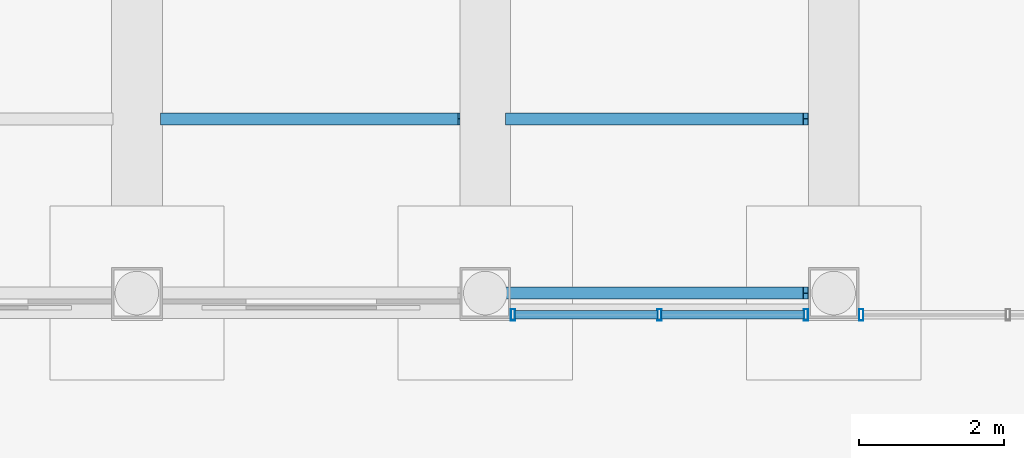
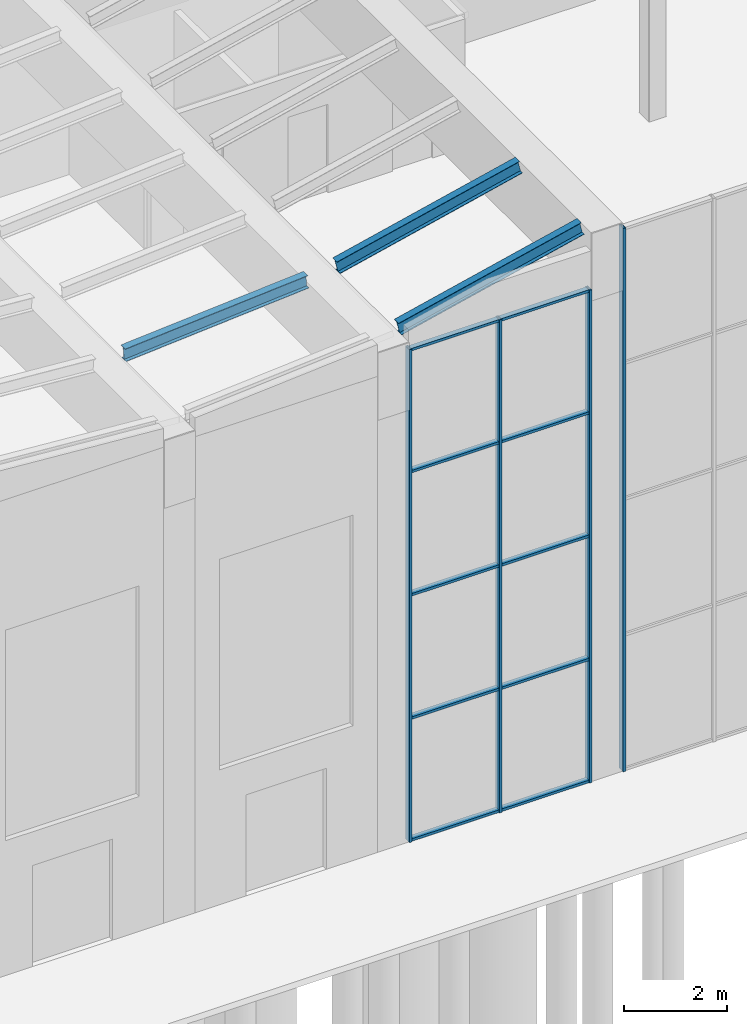
# One storey, part 24 of 58: 14 members, 3 beams, 2 elements without a shape of their own.
"""IFC4 building model written with IfcOpenShell, lengths in metres."""

from ifc_helpers import new_model, si_unit, direction, frame, origin, origin_2d, place, context, subcontext, project, spatial, hollow_rectangle, i_section, extrude, material, layer, layer_set, material_profile, profile_set, type_object, element, aggregate, save


model = new_model("IFC4")

# Units and contexts
model_context = context("Model", 3, precision=1e-05, world=origin(), true_north=direction((0.0, 1.0)))
body_context = subcontext(model_context, "Body", "Model", "MODEL_VIEW")
ifc_project = project(units=[si_unit("LENGTHUNIT", "METRE"), si_unit("AREAUNIT", "SQUARE_METRE"), si_unit("VOLUMEUNIT", "CUBIC_METRE"), si_unit("PLANEANGLEUNIT", "RADIAN"), si_unit("MASSUNIT", "GRAM", prefix="KILO")], contexts=[model_context])

# Site, building, storey
site_placement = place(None, origin())
site = spatial("IfcSite", under=ifc_project, at=site_placement, CompositionType="ELEMENT")
building_placement = place(site_placement, origin())
building = spatial("IfcBuilding", under=site, at=building_placement, Name="Baori Bourse Tower", CompositionType="ELEMENT")
storey_placement = place(building_placement, origin())
storey = spatial("IfcBuildingStorey", under=building, at=storey_placement, Name="L00", CompositionType="ELEMENT", Elevation=0.0)

# Beams
ifc_material_1 = material(Name="Steel A992 Gr 50", Category="steel")
ifc_material_profile_1 = material_profile(ifc_material_1, i_section(OverallWidth=0.164794921875, OverallDepth=0.309814453125, WebThickness=0.005859375, FlangeThickness=0.009765625, at=origin_2d()), Name="W12x26")
ifc_profile_set_1 = profile_set([ifc_material_profile_1], Name="Steel A992 Gr 50")
beam_type = type_object("IfcBeamType", Name="Wing beam W12x26", PredefinedType="BEAM", material=ifc_profile_set_1)
beam_placement = place(storey_placement, frame((29.13818359375, -22.449951171875, 11.619873046875), z_axis=(0.997134957762, 0.0, 0.075643083017), x_axis=(0.0, 1.0, 0.0)))
element("IfcBeam", 1, at=beam_placement, inside=storey, type_object=beam_type, Name="wing/L00/purlin/022", PredefinedType="BEAM", context=body_context, shape_type="SweptSolid", body=[
    extrude(i_section(OverallWidth=0.164794921875, OverallDepth=0.309814453125, WebThickness=0.005859375, FlangeThickness=0.009765625, at=origin_2d()), origin(), (0.0, 0.0, 1.0), 4.11181640625),
])
for number, where, z_axis, x_axis, name in (
    (2, (33.914794921875, -24.85009765625, 12.0244140625), (0.973887386233, 0.0, 0.227031625408), (0.0, 1.0, 0.0), "wing/L00/purlin/031"),
    (3, (33.914794921875, -22.449951171875, 12.0244140625), (0.973887386233, 0.0, 0.227031625408), (0.0, 1.0, 0.0), "wing/L00/purlin/032"),
):
    element("IfcBeam", number, at=place(storey_placement, frame(where, z_axis=z_axis, x_axis=x_axis)), inside=storey, type_object=beam_type, Name=name, PredefinedType="BEAM", context=body_context, shape_type="SweptSolid", body=[
        extrude(i_section(OverallWidth=0.164794921875, OverallDepth=0.309814453125, WebThickness=0.005859375, FlangeThickness=0.009765625, at=origin_2d()), origin(), (0.0, 0.0, 1.0), 4.2099609375),
    ])

# Curtain wall, members
ifc_material_2 = material(Name="Pale anodised aluminium", Category="aluminium")
ifc_layer = layer(ifc_material_2, 0.10009765625)
ifc_layer_set = layer_set([ifc_layer], Name="Wing curtain wall")
curtain_wall_type = type_object("IfcCurtainWallType", Name="Wing curtain wall", PredefinedType="NOTDEFINED", material=ifc_layer_set)
curtain_wall_1_placement = place(storey_placement, origin())
curtain_wall_1 = element("IfcCurtainWall", 4, at=curtain_wall_1_placement, inside=storey, type_object=curtain_wall_type, Name="wing/L00/hallcw/005", PredefinedType="NOTDEFINED")
ifc_material_3 = material(Name="Pale anodised aluminium", Category="aluminium")
ifc_material_profile_2 = material_profile(ifc_material_3, hollow_rectangle(XDim=0.159912109375, YDim=0.06005859375, WallThickness=0.0048828125, at=origin_2d()), Name="Mullion 160x60x5")
ifc_profile_set_2 = profile_set([ifc_material_profile_2], Name="Pale anodised aluminium")
member_type_1 = type_object("IfcMemberType", Name="Wing mullion 60x160", PredefinedType="MULLION", material=ifc_profile_set_2)
member_1_placement = place(storey_placement, frame((33.97998046875, -25.14990234375, 0.0), z_axis=(0.0, 0.0, 1.0), x_axis=(0.0, 1.0, 0.0)))
member_1 = element("IfcMember", 5, at=member_1_placement, type_object=member_type_1, Name="X12 mullion 1", PredefinedType="MULLION", context=body_context, shape_type="SweptSolid", body=[
    extrude(hollow_rectangle(XDim=0.159912109375, YDim=0.06005859375, WallThickness=0.0048828125, at=origin_2d()), origin(), (0.0, 0.0, 1.0), 11.699951171875),
])
member_2_placement = place(storey_placement, frame((36.0, -25.14990234375, 0.0), z_axis=(0.0, 0.0, 1.0), x_axis=(0.0, 1.0, 0.0)))
member_2 = element("IfcMember", 6, at=member_2_placement, type_object=member_type_1, Name="X12 mullion 2", PredefinedType="MULLION", context=body_context, shape_type="SweptSolid", body=[
    extrude(hollow_rectangle(XDim=0.159912109375, YDim=0.06005859375, WallThickness=0.0048828125, at=origin_2d()), origin(), (0.0, 0.0, 1.0), 11.699951171875),
])
member_3_placement = place(storey_placement, frame((38.02001953125, -25.14990234375, 0.0), z_axis=(0.0, 0.0, 1.0), x_axis=(0.0, 1.0, 0.0)))
member_3 = element("IfcMember", 7, at=member_3_placement, type_object=member_type_1, Name="X12 mullion 3", PredefinedType="MULLION", context=body_context, shape_type="SweptSolid", body=[
    extrude(hollow_rectangle(XDim=0.159912109375, YDim=0.06005859375, WallThickness=0.0048828125, at=origin_2d()), origin(), (0.0, 0.0, 1.0), 11.699951171875),
])

# Curtain wall, member
curtain_wall_2_placement = place(storey_placement, origin())
curtain_wall_2 = element("IfcCurtainWall", 8, at=curtain_wall_2_placement, inside=storey, type_object=curtain_wall_type, Name="wing/L00/hallcw/006", PredefinedType="NOTDEFINED")
member_4_placement = place(storey_placement, frame((38.780029296875, -25.14990234375, 0.0), z_axis=(0.0, 0.0, 1.0), x_axis=(0.0, 1.0, 0.0)))
member_4 = element("IfcMember", 9, at=member_4_placement, type_object=member_type_1, Name="X12 mullion 1", PredefinedType="MULLION", context=body_context, shape_type="SweptSolid", body=[
    extrude(hollow_rectangle(XDim=0.159912109375, YDim=0.06005859375, WallThickness=0.0048828125, at=origin_2d()), origin(), (0.0, 0.0, 1.0), 12.89990234375),
])
aggregate(curtain_wall_2, [member_4])

# Member
ifc_material_4 = material(Name="Pale anodised aluminium", Category="aluminium")
ifc_material_profile_3 = material_profile(ifc_material_4, hollow_rectangle(XDim=0.1201171875, YDim=0.06005859375, WallThickness=0.0048828125, at=origin_2d()), Name="Transom 120x60x5")
ifc_profile_set_3 = profile_set([ifc_material_profile_3], Name="Pale anodised aluminium")
member_type_2 = type_object("IfcMemberType", Name="Wing transom 120x60", PredefinedType="USERDEFINED", material=ifc_profile_set_3)
member_5_placement = place(storey_placement, frame((34.010009765625, -25.14990234375, 0.030029296875), z_axis=(1.0, 0.0, 0.0), x_axis=(0.0, 1.0, 0.0)))
member_5 = element("IfcMember", 10, at=member_5_placement, type_object=member_type_2, Name="X12 transom 1.1", ObjectType="TRANSOM", PredefinedType="USERDEFINED", context=body_context, shape_type="SweptSolid", body=[
    extrude(hollow_rectangle(XDim=0.1201171875, YDim=0.06005859375, WallThickness=0.0048828125, at=origin_2d()), origin(), (0.0, 0.0, 1.0), 1.9599609375),
])

member_6_placement = place(storey_placement, frame((34.010009765625, -25.14990234375, 2.925048828125), z_axis=(1.0, 0.0, 0.0), x_axis=(0.0, 1.0, 0.0)))
member_6 = element("IfcMember", 11, at=member_6_placement, type_object=member_type_2, Name="X12 transom 1.2", ObjectType="TRANSOM", PredefinedType="USERDEFINED", context=body_context, shape_type="SweptSolid", body=[
    extrude(hollow_rectangle(XDim=0.1201171875, YDim=0.06005859375, WallThickness=0.0048828125, at=origin_2d()), origin(), (0.0, 0.0, 1.0), 1.9599609375),
])

member_7_placement = place(storey_placement, frame((34.010009765625, -25.14990234375, 5.85009765625), z_axis=(1.0, 0.0, 0.0), x_axis=(0.0, 1.0, 0.0)))
member_7 = element("IfcMember", 12, at=member_7_placement, type_object=member_type_2, Name="X12 transom 1.3", ObjectType="TRANSOM", PredefinedType="USERDEFINED", context=body_context, shape_type="SweptSolid", body=[
    extrude(hollow_rectangle(XDim=0.1201171875, YDim=0.06005859375, WallThickness=0.0048828125, at=origin_2d()), origin(), (0.0, 0.0, 1.0), 1.9599609375),
])

member_8_placement = place(storey_placement, frame((34.010009765625, -25.14990234375, 8.77490234375), z_axis=(1.0, 0.0, 0.0), x_axis=(0.0, 1.0, 0.0)))
member_8 = element("IfcMember", 13, at=member_8_placement, type_object=member_type_2, Name="X12 transom 1.4", ObjectType="TRANSOM", PredefinedType="USERDEFINED", context=body_context, shape_type="SweptSolid", body=[
    extrude(hollow_rectangle(XDim=0.1201171875, YDim=0.06005859375, WallThickness=0.0048828125, at=origin_2d()), origin(), (0.0, 0.0, 1.0), 1.9599609375),
])

member_9_placement = place(storey_placement, frame((34.010009765625, -25.14990234375, 11.669921875), z_axis=(1.0, 0.0, 0.0), x_axis=(0.0, 1.0, 0.0)))
member_9 = element("IfcMember", 14, at=member_9_placement, type_object=member_type_2, Name="X12 transom 1.5", ObjectType="TRANSOM", PredefinedType="USERDEFINED", context=body_context, shape_type="SweptSolid", body=[
    extrude(hollow_rectangle(XDim=0.1201171875, YDim=0.06005859375, WallThickness=0.0048828125, at=origin_2d()), origin(), (0.0, 0.0, 1.0), 1.9599609375),
])

member_10_placement = place(storey_placement, frame((36.030029296875, -25.14990234375, 0.030029296875), z_axis=(1.0, 0.0, 0.0), x_axis=(0.0, 1.0, 0.0)))
member_10 = element("IfcMember", 15, at=member_10_placement, type_object=member_type_2, Name="X12 transom 2.1", ObjectType="TRANSOM", PredefinedType="USERDEFINED", context=body_context, shape_type="SweptSolid", body=[
    extrude(hollow_rectangle(XDim=0.1201171875, YDim=0.06005859375, WallThickness=0.0048828125, at=origin_2d()), origin(), (0.0, 0.0, 1.0), 1.9599609375),
])

member_11_placement = place(storey_placement, frame((36.030029296875, -25.14990234375, 2.925048828125), z_axis=(1.0, 0.0, 0.0), x_axis=(0.0, 1.0, 0.0)))
member_11 = element("IfcMember", 16, at=member_11_placement, type_object=member_type_2, Name="X12 transom 2.2", ObjectType="TRANSOM", PredefinedType="USERDEFINED", context=body_context, shape_type="SweptSolid", body=[
    extrude(hollow_rectangle(XDim=0.1201171875, YDim=0.06005859375, WallThickness=0.0048828125, at=origin_2d()), origin(), (0.0, 0.0, 1.0), 1.9599609375),
])

member_12_placement = place(storey_placement, frame((36.030029296875, -25.14990234375, 5.85009765625), z_axis=(1.0, 0.0, 0.0), x_axis=(0.0, 1.0, 0.0)))
member_12 = element("IfcMember", 17, at=member_12_placement, type_object=member_type_2, Name="X12 transom 2.3", ObjectType="TRANSOM", PredefinedType="USERDEFINED", context=body_context, shape_type="SweptSolid", body=[
    extrude(hollow_rectangle(XDim=0.1201171875, YDim=0.06005859375, WallThickness=0.0048828125, at=origin_2d()), origin(), (0.0, 0.0, 1.0), 1.9599609375),
])

member_13_placement = place(storey_placement, frame((36.030029296875, -25.14990234375, 8.77490234375), z_axis=(1.0, 0.0, 0.0), x_axis=(0.0, 1.0, 0.0)))
member_13 = element("IfcMember", 18, at=member_13_placement, type_object=member_type_2, Name="X12 transom 2.4", ObjectType="TRANSOM", PredefinedType="USERDEFINED", context=body_context, shape_type="SweptSolid", body=[
    extrude(hollow_rectangle(XDim=0.1201171875, YDim=0.06005859375, WallThickness=0.0048828125, at=origin_2d()), origin(), (0.0, 0.0, 1.0), 1.9599609375),
])

member_14_placement = place(storey_placement, frame((36.030029296875, -25.14990234375, 11.669921875), z_axis=(1.0, 0.0, 0.0), x_axis=(0.0, 1.0, 0.0)))
member_14 = element("IfcMember", 19, at=member_14_placement, type_object=member_type_2, Name="X12 transom 2.5", ObjectType="TRANSOM", PredefinedType="USERDEFINED", context=body_context, shape_type="SweptSolid", body=[
    extrude(hollow_rectangle(XDim=0.1201171875, YDim=0.06005859375, WallThickness=0.0048828125, at=origin_2d()), origin(), (0.0, 0.0, 1.0), 1.9599609375),
])

aggregate(curtain_wall_1, [member_1, member_2, member_3, member_5, member_6, member_7, member_8, member_9, member_10, member_11, member_12, member_13, member_14])

save(model, "model.ifc")
